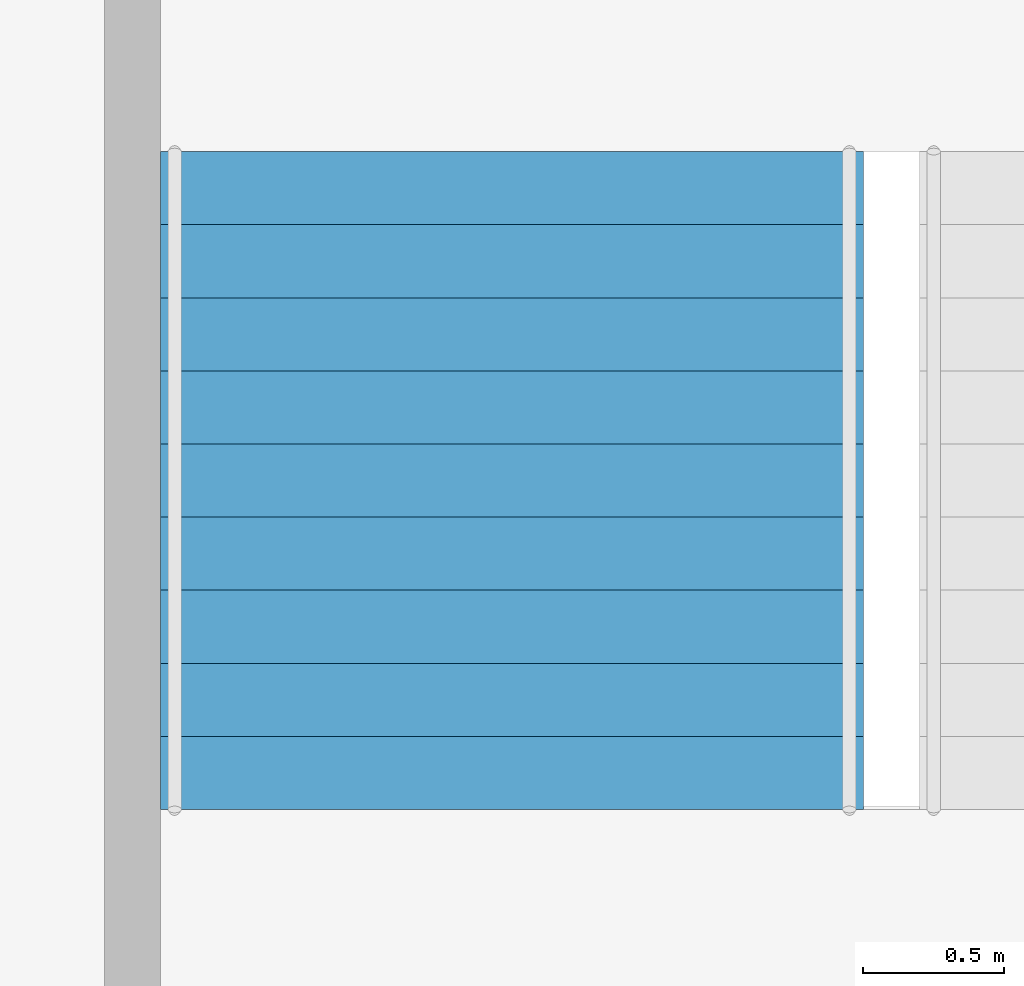
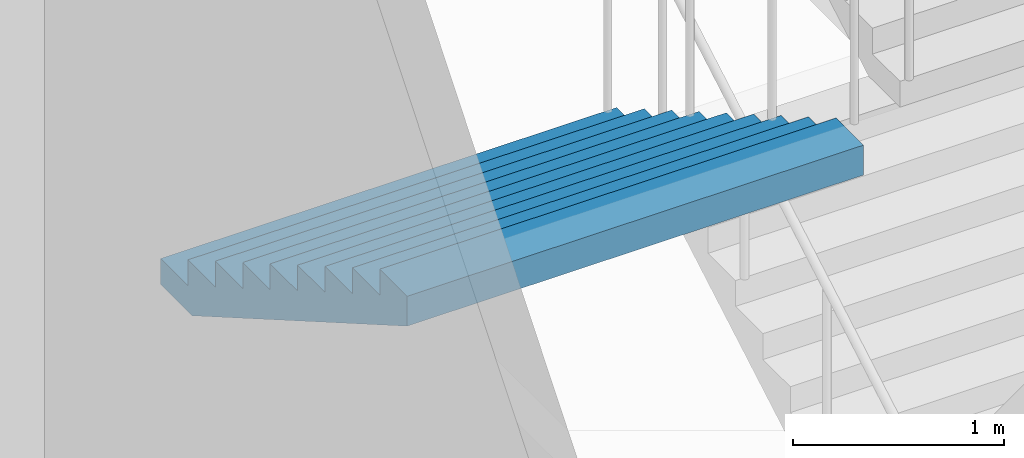
# One storey, part 42 of 100: 1 stair flight, 1 element without a shape of its own.
"""IFC4 building model written with IfcOpenShell, lengths in metres."""

from ifc_helpers import new_model, si_unit, direction, frame, origin, place, context, subcontext, project, spatial, triangles, material, type_object, element, aggregate, save


model = new_model("IFC4")

# Units and contexts
model_context = context("Model", 3, precision=1e-05, world=origin(), true_north=direction((0.0, 1.0)))
body_context = subcontext(model_context, "Body", "Model", "MODEL_VIEW")
ifc_project = project(units=[si_unit("LENGTHUNIT", "METRE"), si_unit("AREAUNIT", "SQUARE_METRE"), si_unit("VOLUMEUNIT", "CUBIC_METRE"), si_unit("PLANEANGLEUNIT", "RADIAN"), si_unit("MASSUNIT", "GRAM", prefix="KILO")], contexts=[model_context])

# Site, building, storey
site_placement = place(None, origin())
site = spatial("IfcSite", under=ifc_project, at=site_placement, CompositionType="ELEMENT")
building_placement = place(site_placement, origin())
building = spatial("IfcBuilding", under=site, at=building_placement, Name="Hakoniwa Tower and Hamabe Station Hall", CompositionType="ELEMENT")
storey_placement = place(building_placement, frame((0.0, 0.0, 9.0)))
storey = spatial("IfcBuildingStorey", under=building, at=storey_placement, Name="L02", CompositionType="ELEMENT", Elevation=9.0)

# Stair, stair flight
ifc_material_1 = material(Name="Concrete C40", Category="concrete")
stair_type = type_object("IfcStairType", Name="STAIR 2500 10X150", PredefinedType="HALF_TURN_STAIR", material=ifc_material_1)
stair_placement = place(storey_placement, origin())
stair = element("IfcStair", 1, at=stair_placement, inside=storey, type_object=stair_type, Name="Escape stair PS4", PredefinedType="HALF_TURN_STAIR")
ifc_material_2 = material(Name="Concrete C40", Category="concrete")
stair_flight_type = type_object("IfcStairFlightType", Name="STAIR FLIGHT 2500", PredefinedType="STRAIGHT", material=ifc_material_2)
stair_flight_placement = place(storey_placement, frame((-47.800048828125, -20.010009765625, 1.5), z_axis=(0.0, 0.0, 1.0), x_axis=(0.0, -1.0, 0.0)))
stair_flight = element("IfcStairFlight", 2, at=stair_flight_placement, type_object=stair_flight_type, Name="PS4 flight 2", NumberOfRisers=10, NumberOfTreads=9, PredefinedType="STRAIGHT", RiserHeight=0.15, TreadLength=0.26, context=body_context, shape_type="Tessellation", body=[
    triangles([(0.0, 1.25, 0.0), (0.260009765625, 1.25, 0.0), (0.300048828125, 1.25, 0.0), (0.52001953125, 1.25, 0.126953125), (0.780029296875, 1.25, 0.27685546875), (1.0400390625, 1.25, 0.427001953125), (1.300048828125, 1.25, 0.576904296875), (1.56005859375, 1.25, 0.72705078125), (1.820068359375, 1.25, 0.876953125), (2.080078125, 1.25, 1.02685546875), (2.340087890625, 1.25, 1.177001953125), (2.340087890625, 1.25, 1.35009765625), (2.080078125, 1.25, 1.35009765625), (2.080078125, 1.25, 1.199951171875), (1.820068359375, 1.25, 1.199951171875), (1.820068359375, 1.25, 1.050048828125), (1.56005859375, 1.25, 1.050048828125), (1.56005859375, 1.25, 0.89990234375), (1.300048828125, 1.25, 0.89990234375), (1.300048828125, 1.25, 0.75), (1.0400390625, 1.25, 0.75), (1.0400390625, 1.25, 0.60009765625), (0.780029296875, 1.25, 0.60009765625), (0.780029296875, 1.25, 0.449951171875), (0.52001953125, 1.25, 0.449951171875), (0.52001953125, 1.25, 0.300048828125), (0.300048828125, 1.25, 0.300048828125), (0.260009765625, 1.25, 0.300048828125), (0.260009765625, 1.25, 0.14990234375), (0.0, 1.25, 0.14990234375), (0.0, 0.06005859375, 0.0), (0.260009765625, 0.06005859375, 0.0), (0.300048828125, 0.06005859375, 0.0), (0.52001953125, 0.06005859375, 0.126953125), (0.780029296875, 0.06005859375, 0.27685546875), (1.0400390625, 0.06005859375, 0.427001953125), (1.300048828125, 0.06005859375, 0.576904296875), (1.56005859375, 0.06005859375, 0.72705078125), (1.820068359375, 0.06005859375, 0.876953125), (2.080078125, 0.06005859375, 1.02685546875), (2.340087890625, 0.06005859375, 1.177001953125), (2.340087890625, 0.06005859375, 1.35009765625), (2.080078125, 0.06005859375, 1.35009765625), (2.080078125, 0.06005859375, 1.199951171875), (1.820068359375, 0.06005859375, 1.199951171875), (1.820068359375, 0.06005859375, 1.050048828125), (1.56005859375, 0.06005859375, 1.050048828125), (1.56005859375, 0.06005859375, 0.89990234375), (1.300048828125, 0.06005859375, 0.89990234375), (1.300048828125, 0.06005859375, 0.75), (1.0400390625, 0.06005859375, 0.75), (1.0400390625, 0.06005859375, 0.60009765625), (0.780029296875, 0.06005859375, 0.60009765625), (0.780029296875, 0.06005859375, 0.449951171875), (0.52001953125, 0.06005859375, 0.449951171875), (0.52001953125, 0.06005859375, 0.300048828125), (0.300048828125, 0.06005859375, 0.300048828125), (0.260009765625, 0.06005859375, 0.300048828125), (0.260009765625, 0.06005859375, 0.14990234375), (0.0, 0.06005859375, 0.14990234375), (0.0, 0.049072265625, 0.0), (0.260009765625, 0.049072265625, 0.0), (0.300048828125, 0.049072265625, 0.0), (0.52001953125, 0.049072265625, 0.126953125), (0.780029296875, 0.049072265625, 0.27685546875), (1.0400390625, 0.049072265625, 0.427001953125), (1.300048828125, 0.049072265625, 0.576904296875), (1.56005859375, 0.049072265625, 0.72705078125), (1.820068359375, 0.049072265625, 0.876953125), (2.080078125, 0.049072265625, 1.02685546875), (2.340087890625, 0.049072265625, 1.177001953125), (2.340087890625, 0.049072265625, 1.35009765625), (2.080078125, 0.049072265625, 1.35009765625), (2.080078125, 0.049072265625, 1.199951171875), (1.820068359375, 0.049072265625, 1.199951171875), (1.820068359375, 0.049072265625, 1.050048828125), (1.56005859375, 0.049072265625, 1.050048828125), (1.56005859375, 0.049072265625, 0.89990234375), (1.300048828125, 0.049072265625, 0.89990234375), (1.300048828125, 0.049072265625, 0.75), (1.0400390625, 0.049072265625, 0.75), (1.0400390625, 0.049072265625, 0.60009765625), (0.780029296875, 0.049072265625, 0.60009765625), (0.780029296875, 0.049072265625, 0.449951171875), (0.52001953125, 0.049072265625, 0.449951171875), (0.52001953125, 0.049072265625, 0.300048828125), (0.300048828125, 0.049072265625, 0.300048828125), (0.260009765625, 0.049072265625, 0.300048828125), (0.260009765625, 0.049072265625, 0.14990234375), (0.0, 0.049072265625, 0.14990234375), (0.0, 0.0380859375, 0.0), (0.260009765625, 0.0380859375, 0.0), (0.300048828125, 0.0380859375, 0.0), (0.52001953125, 0.0380859375, 0.126953125), (0.780029296875, 0.0380859375, 0.27685546875), (1.0400390625, 0.0380859375, 0.427001953125), (1.300048828125, 0.0380859375, 0.576904296875), (1.56005859375, 0.0380859375, 0.72705078125), (1.820068359375, 0.0380859375, 0.876953125), (2.080078125, 0.0380859375, 1.02685546875), (2.340087890625, 0.0380859375, 1.177001953125), (2.340087890625, 0.0380859375, 1.35009765625), (2.080078125, 0.0380859375, 1.35009765625), (2.080078125, 0.0380859375, 1.199951171875), (1.820068359375, 0.0380859375, 1.199951171875), (1.820068359375, 0.0380859375, 1.050048828125), (1.56005859375, 0.0380859375, 1.050048828125), (1.56005859375, 0.0380859375, 0.89990234375), (1.300048828125, 0.0380859375, 0.89990234375), (1.300048828125, 0.0380859375, 0.75), (1.0400390625, 0.0380859375, 0.75), (1.0400390625, 0.0380859375, 0.60009765625), (0.780029296875, 0.0380859375, 0.60009765625), (0.780029296875, 0.0380859375, 0.449951171875), (0.52001953125, 0.0380859375, 0.449951171875), (0.52001953125, 0.0380859375, 0.300048828125), (0.300048828125, 0.0380859375, 0.300048828125), (0.260009765625, 0.0380859375, 0.300048828125), (0.260009765625, 0.0380859375, 0.14990234375), (0.0, 0.0380859375, 0.14990234375), (0.0, 0.02734375, 0.0), (0.260009765625, 0.02734375, 0.0), (0.300048828125, 0.02734375, 0.0), (0.52001953125, 0.02734375, 0.126953125), (0.780029296875, 0.02734375, 0.27685546875), (1.0400390625, 0.02734375, 0.427001953125), (1.300048828125, 0.02734375, 0.576904296875), (1.56005859375, 0.02734375, 0.72705078125), (1.820068359375, 0.02734375, 0.876953125), (2.080078125, 0.02734375, 1.02685546875), (2.340087890625, 0.02734375, 1.177001953125), (2.340087890625, 0.02734375, 1.35009765625), (2.080078125, 0.02734375, 1.35009765625), (2.080078125, 0.02734375, 1.199951171875), (1.820068359375, 0.02734375, 1.199951171875), (1.820068359375, 0.02734375, 1.050048828125), (1.56005859375, 0.02734375, 1.050048828125), (1.56005859375, 0.02734375, 0.89990234375), (1.300048828125, 0.02734375, 0.89990234375), (1.300048828125, 0.02734375, 0.75), (1.0400390625, 0.02734375, 0.75), (1.0400390625, 0.02734375, 0.60009765625), (0.780029296875, 0.02734375, 0.60009765625), (0.780029296875, 0.02734375, 0.449951171875), (0.52001953125, 0.02734375, 0.449951171875), (0.52001953125, 0.02734375, 0.300048828125), (0.300048828125, 0.02734375, 0.300048828125), (0.260009765625, 0.02734375, 0.300048828125), (0.260009765625, 0.02734375, 0.14990234375), (0.0, 0.02734375, 0.14990234375), (0.0, 0.016357421875, 0.0), (0.260009765625, 0.016357421875, 0.0), (0.300048828125, 0.016357421875, 0.0), (0.52001953125, 0.016357421875, 0.126953125), (0.780029296875, 0.016357421875, 0.27685546875), (1.0400390625, 0.016357421875, 0.427001953125), (1.300048828125, 0.016357421875, 0.576904296875), (1.56005859375, 0.016357421875, 0.72705078125), (1.820068359375, 0.016357421875, 0.876953125), (2.080078125, 0.016357421875, 1.02685546875), (2.340087890625, 0.016357421875, 1.177001953125), (2.340087890625, 0.016357421875, 1.35009765625), (2.080078125, 0.016357421875, 1.35009765625), (2.080078125, 0.016357421875, 1.199951171875), (1.820068359375, 0.016357421875, 1.199951171875), (1.820068359375, 0.016357421875, 1.050048828125), (1.56005859375, 0.016357421875, 1.050048828125), (1.56005859375, 0.016357421875, 0.89990234375), (1.300048828125, 0.016357421875, 0.89990234375), (1.300048828125, 0.016357421875, 0.75), (1.0400390625, 0.016357421875, 0.75), (1.0400390625, 0.016357421875, 0.60009765625), (0.780029296875, 0.016357421875, 0.60009765625), (0.780029296875, 0.016357421875, 0.449951171875), (0.52001953125, 0.016357421875, 0.449951171875), (0.52001953125, 0.016357421875, 0.300048828125), (0.300048828125, 0.016357421875, 0.300048828125), (0.260009765625, 0.016357421875, 0.300048828125), (0.260009765625, 0.016357421875, 0.14990234375), (0.0, 0.016357421875, 0.14990234375), (0.0, 0.00537109375, 0.0), (0.260009765625, 0.00537109375, 0.0), (0.300048828125, 0.00537109375, 0.0), (0.52001953125, 0.00537109375, 0.126953125), (0.780029296875, 0.00537109375, 0.27685546875), (1.0400390625, 0.00537109375, 0.427001953125), (1.300048828125, 0.00537109375, 0.576904296875), (1.56005859375, 0.00537109375, 0.72705078125), (1.820068359375, 0.00537109375, 0.876953125), (2.080078125, 0.00537109375, 1.02685546875), (2.340087890625, 0.00537109375, 1.177001953125), (2.340087890625, 0.00537109375, 1.35009765625), (2.080078125, 0.00537109375, 1.35009765625), (2.080078125, 0.00537109375, 1.199951171875), (1.820068359375, 0.00537109375, 1.199951171875), (1.820068359375, 0.00537109375, 1.050048828125), (1.56005859375, 0.00537109375, 1.050048828125), (1.56005859375, 0.00537109375, 0.89990234375), (1.300048828125, 0.00537109375, 0.89990234375), (1.300048828125, 0.00537109375, 0.75), (1.0400390625, 0.00537109375, 0.75), (1.0400390625, 0.00537109375, 0.60009765625), (0.780029296875, 0.00537109375, 0.60009765625), (0.780029296875, 0.00537109375, 0.449951171875), (0.52001953125, 0.00537109375, 0.449951171875), (0.52001953125, 0.00537109375, 0.300048828125), (0.300048828125, 0.00537109375, 0.300048828125), (0.260009765625, 0.00537109375, 0.300048828125), (0.260009765625, 0.00537109375, 0.14990234375), (0.0, 0.00537109375, 0.14990234375), (0.0, -0.00537109375, 0.0), (0.260009765625, -0.00537109375, 0.0), (0.300048828125, -0.00537109375, 0.0), (0.52001953125, -0.00537109375, 0.126953125), (0.780029296875, -0.00537109375, 0.27685546875), (1.0400390625, -0.00537109375, 0.427001953125), (1.300048828125, -0.00537109375, 0.576904296875), (1.56005859375, -0.00537109375, 0.72705078125), (1.820068359375, -0.00537109375, 0.876953125), (2.080078125, -0.00537109375, 1.02685546875), (2.340087890625, -0.00537109375, 1.177001953125), (2.340087890625, -0.00537109375, 1.35009765625), (2.080078125, -0.00537109375, 1.35009765625), (2.080078125, -0.00537109375, 1.199951171875), (1.820068359375, -0.00537109375, 1.199951171875), (1.820068359375, -0.00537109375, 1.050048828125), (1.56005859375, -0.00537109375, 1.050048828125), (1.56005859375, -0.00537109375, 0.89990234375), (1.300048828125, -0.00537109375, 0.89990234375), (1.300048828125, -0.00537109375, 0.75), (1.0400390625, -0.00537109375, 0.75), (1.0400390625, -0.00537109375, 0.60009765625), (0.780029296875, -0.00537109375, 0.60009765625), (0.780029296875, -0.00537109375, 0.449951171875), (0.52001953125, -0.00537109375, 0.449951171875), (0.52001953125, -0.00537109375, 0.300048828125), (0.300048828125, -0.00537109375, 0.300048828125), (0.260009765625, -0.00537109375, 0.300048828125), (0.260009765625, -0.00537109375, 0.14990234375), (0.0, -0.00537109375, 0.14990234375), (0.0, -0.016357421875, 0.0), (0.260009765625, -0.016357421875, 0.0), (0.300048828125, -0.016357421875, 0.0), (0.52001953125, -0.016357421875, 0.126953125), (0.780029296875, -0.016357421875, 0.27685546875), (1.0400390625, -0.016357421875, 0.427001953125), (1.300048828125, -0.016357421875, 0.576904296875), (1.56005859375, -0.016357421875, 0.72705078125), (1.820068359375, -0.016357421875, 0.876953125), (2.080078125, -0.016357421875, 1.02685546875), (2.340087890625, -0.016357421875, 1.177001953125), (2.340087890625, -0.016357421875, 1.35009765625), (2.080078125, -0.016357421875, 1.35009765625), (2.080078125, -0.016357421875, 1.199951171875), (1.820068359375, -0.016357421875, 1.199951171875), (1.820068359375, -0.016357421875, 1.050048828125), (1.56005859375, -0.016357421875, 1.050048828125), (1.56005859375, -0.016357421875, 0.89990234375), (1.300048828125, -0.016357421875, 0.89990234375), (1.300048828125, -0.016357421875, 0.75), (1.0400390625, -0.016357421875, 0.75), (1.0400390625, -0.016357421875, 0.60009765625), (0.780029296875, -0.016357421875, 0.60009765625), (0.780029296875, -0.016357421875, 0.449951171875), (0.52001953125, -0.016357421875, 0.449951171875), (0.52001953125, -0.016357421875, 0.300048828125), (0.300048828125, -0.016357421875, 0.300048828125), (0.260009765625, -0.016357421875, 0.300048828125), (0.260009765625, -0.016357421875, 0.14990234375), (0.0, -0.016357421875, 0.14990234375), (0.0, -0.02734375, 0.0), (0.260009765625, -0.02734375, 0.0), (0.300048828125, -0.02734375, 0.0), (0.52001953125, -0.02734375, 0.126953125), (0.780029296875, -0.02734375, 0.27685546875), (1.0400390625, -0.02734375, 0.427001953125), (1.300048828125, -0.02734375, 0.576904296875), (1.56005859375, -0.02734375, 0.72705078125), (1.820068359375, -0.02734375, 0.876953125), (2.080078125, -0.02734375, 1.02685546875), (2.340087890625, -0.02734375, 1.177001953125), (2.340087890625, -0.02734375, 1.35009765625), (2.080078125, -0.02734375, 1.35009765625), (2.080078125, -0.02734375, 1.199951171875), (1.820068359375, -0.02734375, 1.199951171875), (1.820068359375, -0.02734375, 1.050048828125), (1.56005859375, -0.02734375, 1.050048828125), (1.56005859375, -0.02734375, 0.89990234375), (1.300048828125, -0.02734375, 0.89990234375), (1.300048828125, -0.02734375, 0.75), (1.0400390625, -0.02734375, 0.75), (1.0400390625, -0.02734375, 0.60009765625), (0.780029296875, -0.02734375, 0.60009765625), (0.780029296875, -0.02734375, 0.449951171875), (0.52001953125, -0.02734375, 0.449951171875), (0.52001953125, -0.02734375, 0.300048828125), (0.300048828125, -0.02734375, 0.300048828125), (0.260009765625, -0.02734375, 0.300048828125), (0.260009765625, -0.02734375, 0.14990234375), (0.0, -0.02734375, 0.14990234375), (0.0, -0.0380859375, 0.0), (0.260009765625, -0.0380859375, 0.0), (0.300048828125, -0.0380859375, 0.0), (0.52001953125, -0.0380859375, 0.126953125), (0.780029296875, -0.0380859375, 0.27685546875), (1.0400390625, -0.0380859375, 0.427001953125), (1.300048828125, -0.0380859375, 0.576904296875), (1.56005859375, -0.0380859375, 0.72705078125), (1.820068359375, -0.0380859375, 0.876953125), (2.080078125, -0.0380859375, 1.02685546875), (2.340087890625, -0.0380859375, 1.177001953125), (2.340087890625, -0.0380859375, 1.35009765625), (2.080078125, -0.0380859375, 1.35009765625), (2.080078125, -0.0380859375, 1.199951171875), (1.820068359375, -0.0380859375, 1.199951171875), (1.820068359375, -0.0380859375, 1.050048828125), (1.56005859375, -0.0380859375, 1.050048828125), (1.56005859375, -0.0380859375, 0.89990234375), (1.300048828125, -0.0380859375, 0.89990234375), (1.300048828125, -0.0380859375, 0.75), (1.0400390625, -0.0380859375, 0.75), (1.0400390625, -0.0380859375, 0.60009765625), (0.780029296875, -0.0380859375, 0.60009765625), (0.780029296875, -0.0380859375, 0.449951171875), (0.52001953125, -0.0380859375, 0.449951171875), (0.52001953125, -0.0380859375, 0.300048828125), (0.300048828125, -0.0380859375, 0.300048828125), (0.260009765625, -0.0380859375, 0.300048828125), (0.260009765625, -0.0380859375, 0.14990234375), (0.0, -0.0380859375, 0.14990234375), (0.0, -0.049072265625, 0.0), (0.260009765625, -0.049072265625, 0.0), (0.300048828125, -0.049072265625, 0.0), (0.52001953125, -0.049072265625, 0.126953125), (0.780029296875, -0.049072265625, 0.27685546875), (1.0400390625, -0.049072265625, 0.427001953125), (1.300048828125, -0.049072265625, 0.576904296875), (1.56005859375, -0.049072265625, 0.72705078125), (1.820068359375, -0.049072265625, 0.876953125), (2.080078125, -0.049072265625, 1.02685546875), (2.340087890625, -0.049072265625, 1.177001953125), (2.340087890625, -0.049072265625, 1.35009765625), (2.080078125, -0.049072265625, 1.35009765625), (2.080078125, -0.049072265625, 1.199951171875), (1.820068359375, -0.049072265625, 1.199951171875), (1.820068359375, -0.049072265625, 1.050048828125), (1.56005859375, -0.049072265625, 1.050048828125), (1.56005859375, -0.049072265625, 0.89990234375), (1.300048828125, -0.049072265625, 0.89990234375), (1.300048828125, -0.049072265625, 0.75), (1.0400390625, -0.049072265625, 0.75), (1.0400390625, -0.049072265625, 0.60009765625), (0.780029296875, -0.049072265625, 0.60009765625), (0.780029296875, -0.049072265625, 0.449951171875), (0.52001953125, -0.049072265625, 0.449951171875), (0.52001953125, -0.049072265625, 0.300048828125), (0.300048828125, -0.049072265625, 0.300048828125), (0.260009765625, -0.049072265625, 0.300048828125), (0.260009765625, -0.049072265625, 0.14990234375), (0.0, -0.049072265625, 0.14990234375), (0.0, -0.06005859375, 0.0), (0.260009765625, -0.06005859375, 0.0), (0.300048828125, -0.06005859375, 0.0), (0.52001953125, -0.06005859375, 0.126953125), (0.780029296875, -0.06005859375, 0.27685546875), (1.0400390625, -0.06005859375, 0.427001953125), (1.300048828125, -0.06005859375, 0.576904296875), (1.56005859375, -0.06005859375, 0.72705078125), (1.820068359375, -0.06005859375, 0.876953125), (2.080078125, -0.06005859375, 1.02685546875), (2.340087890625, -0.06005859375, 1.177001953125), (2.340087890625, -0.06005859375, 1.35009765625), (2.080078125, -0.06005859375, 1.35009765625), (2.080078125, -0.06005859375, 1.199951171875), (1.820068359375, -0.06005859375, 1.199951171875), (1.820068359375, -0.06005859375, 1.050048828125), (1.56005859375, -0.06005859375, 1.050048828125), (1.56005859375, -0.06005859375, 0.89990234375), (1.300048828125, -0.06005859375, 0.89990234375), (1.300048828125, -0.06005859375, 0.75), (1.0400390625, -0.06005859375, 0.75), (1.0400390625, -0.06005859375, 0.60009765625), (0.780029296875, -0.06005859375, 0.60009765625), (0.780029296875, -0.06005859375, 0.449951171875), (0.52001953125, -0.06005859375, 0.449951171875), (0.52001953125, -0.06005859375, 0.300048828125), (0.300048828125, -0.06005859375, 0.300048828125), (0.260009765625, -0.06005859375, 0.300048828125), (0.260009765625, -0.06005859375, 0.14990234375), (0.0, -0.06005859375, 0.14990234375), (0.0, -1.25, 0.0), (0.260009765625, -1.25, 0.0), (0.300048828125, -1.25, 0.0), (0.52001953125, -1.25, 0.126953125), (0.780029296875, -1.25, 0.27685546875), (1.0400390625, -1.25, 0.427001953125), (1.300048828125, -1.25, 0.576904296875), (1.56005859375, -1.25, 0.72705078125), (1.820068359375, -1.25, 0.876953125), (2.080078125, -1.25, 1.02685546875), (2.340087890625, -1.25, 1.177001953125), (2.340087890625, -1.25, 1.35009765625), (2.080078125, -1.25, 1.35009765625), (2.080078125, -1.25, 1.199951171875), (1.820068359375, -1.25, 1.199951171875), (1.820068359375, -1.25, 1.050048828125), (1.56005859375, -1.25, 1.050048828125), (1.56005859375, -1.25, 0.89990234375), (1.300048828125, -1.25, 0.89990234375), (1.300048828125, -1.25, 0.75), (1.0400390625, -1.25, 0.75), (1.0400390625, -1.25, 0.60009765625), (0.780029296875, -1.25, 0.60009765625), (0.780029296875, -1.25, 0.449951171875), (0.52001953125, -1.25, 0.449951171875), (0.52001953125, -1.25, 0.300048828125), (0.300048828125, -1.25, 0.300048828125), (0.260009765625, -1.25, 0.300048828125), (0.260009765625, -1.25, 0.14990234375), (0.0, -1.25, 0.14990234375)], [[2, 30, 29], [392, 419, 420], [2, 1, 30], [392, 420, 391], [3, 28, 27], [393, 417, 418], [3, 29, 28], [393, 418, 419], [3, 2, 29], [393, 419, 392], [4, 27, 26], [394, 416, 417], [4, 3, 27], [394, 417, 393], [5, 25, 24], [395, 414, 415], [5, 26, 25], [395, 415, 416], [5, 4, 26], [395, 416, 394], [6, 23, 22], [396, 412, 413], [6, 24, 23], [396, 413, 414], [6, 5, 24], [396, 414, 395], [7, 21, 20], [397, 410, 411], [7, 22, 21], [397, 411, 412], [7, 6, 22], [397, 412, 396], [8, 19, 18], [398, 408, 409], [8, 20, 19], [398, 409, 410], [8, 7, 20], [398, 410, 397], [9, 17, 16], [399, 406, 407], [9, 18, 17], [399, 407, 408], [9, 8, 18], [399, 408, 398], [10, 15, 14], [400, 404, 405], [10, 16, 15], [400, 405, 406], [10, 9, 16], [400, 406, 399], [11, 13, 12], [401, 402, 403], [11, 14, 13], [401, 403, 404], [11, 10, 14], [401, 404, 400], [1, 2, 32], [1, 32, 31], [31, 32, 62], [31, 62, 61], [61, 62, 92], [61, 92, 91], [91, 92, 122], [91, 122, 121], [121, 122, 152], [121, 152, 151], [151, 152, 182], [151, 182, 181], [181, 182, 212], [181, 212, 211], [211, 212, 242], [211, 242, 241], [241, 242, 272], [241, 272, 271], [271, 272, 302], [271, 302, 301], [301, 302, 332], [301, 332, 331], [331, 332, 362], [331, 362, 361], [361, 362, 392], [361, 392, 391], [2, 3, 33], [2, 33, 32], [32, 33, 63], [32, 63, 62], [62, 63, 93], [62, 93, 92], [92, 93, 123], [92, 123, 122], [122, 123, 153], [122, 153, 152], [152, 153, 183], [152, 183, 182], [182, 183, 213], [182, 213, 212], [212, 213, 243], [212, 243, 242], [242, 243, 273], [242, 273, 272], [272, 273, 303], [272, 303, 302], [302, 303, 333], [302, 333, 332], [332, 333, 363], [332, 363, 362], [362, 363, 393], [362, 393, 392], [3, 4, 34], [3, 34, 33], [33, 34, 64], [33, 64, 63], [63, 64, 94], [63, 94, 93], [93, 94, 124], [93, 124, 123], [123, 124, 154], [123, 154, 153], [153, 154, 184], [153, 184, 183], [183, 184, 214], [183, 214, 213], [213, 214, 244], [213, 244, 243], [243, 244, 274], [243, 274, 273], [273, 274, 304], [273, 304, 303], [303, 304, 334], [303, 334, 333], [333, 334, 364], [333, 364, 363], [363, 364, 394], [363, 394, 393], [4, 5, 35], [4, 35, 34], [34, 35, 65], [34, 65, 64], [64, 65, 95], [64, 95, 94], [94, 95, 125], [94, 125, 124], [124, 125, 155], [124, 155, 154], [154, 155, 185], [154, 185, 184], [184, 185, 215], [184, 215, 214], [214, 215, 245], [214, 245, 244], [244, 245, 275], [244, 275, 274], [274, 275, 305], [274, 305, 304], [304, 305, 335], [304, 335, 334], [334, 335, 365], [334, 365, 364], [364, 365, 395], [364, 395, 394], [5, 6, 36], [5, 36, 35], [35, 36, 66], [35, 66, 65], [65, 66, 96], [65, 96, 95], [95, 96, 126], [95, 126, 125], [125, 126, 156], [125, 156, 155], [155, 156, 186], [155, 186, 185], [185, 186, 216], [185, 216, 215], [215, 216, 246], [215, 246, 245], [245, 246, 276], [245, 276, 275], [275, 276, 306], [275, 306, 305], [305, 306, 336], [305, 336, 335], [335, 336, 366], [335, 366, 365], [365, 366, 396], [365, 396, 395], [6, 7, 37], [6, 37, 36], [36, 37, 67], [36, 67, 66], [66, 67, 97], [66, 97, 96], [96, 97, 127], [96, 127, 126], [126, 127, 157], [126, 157, 156], [156, 157, 187], [156, 187, 186], [186, 187, 217], [186, 217, 216], [216, 217, 247], [216, 247, 246], [246, 247, 277], [246, 277, 276], [276, 277, 307], [276, 307, 306], [306, 307, 337], [306, 337, 336], [336, 337, 367], [336, 367, 366], [366, 367, 397], [366, 397, 396], [7, 8, 38], [7, 38, 37], [37, 38, 68], [37, 68, 67], [67, 68, 98], [67, 98, 97], [97, 98, 128], [97, 128, 127], [127, 128, 158], [127, 158, 157], [157, 158, 188], [157, 188, 187], [187, 188, 218], [187, 218, 217], [217, 218, 248], [217, 248, 247], [247, 248, 278], [247, 278, 277], [277, 278, 308], [277, 308, 307], [307, 308, 338], [307, 338, 337], [337, 338, 368], [337, 368, 367], [367, 368, 398], [367, 398, 397], [8, 9, 39], [8, 39, 38], [38, 39, 69], [38, 69, 68], [68, 69, 99], [68, 99, 98], [98, 99, 129], [98, 129, 128], [128, 129, 159], [128, 159, 158], [158, 159, 189], [158, 189, 188], [188, 189, 219], [188, 219, 218], [218, 219, 249], [218, 249, 248], [248, 249, 279], [248, 279, 278], [278, 279, 309], [278, 309, 308], [308, 309, 339], [308, 339, 338], [338, 339, 369], [338, 369, 368], [368, 369, 399], [368, 399, 398], [9, 10, 40], [9, 40, 39], [39, 40, 70], [39, 70, 69], [69, 70, 100], [69, 100, 99], [99, 100, 130], [99, 130, 129], [129, 130, 160], [129, 160, 159], [159, 160, 190], [159, 190, 189], [189, 190, 220], [189, 220, 219], [219, 220, 250], [219, 250, 249], [249, 250, 280], [249, 280, 279], [279, 280, 310], [279, 310, 309], [309, 310, 340], [309, 340, 339], [339, 340, 370], [339, 370, 369], [369, 370, 400], [369, 400, 399], [10, 11, 41], [10, 41, 40], [40, 41, 71], [40, 71, 70], [70, 71, 101], [70, 101, 100], [100, 101, 131], [100, 131, 130], [130, 131, 161], [130, 161, 160], [160, 161, 191], [160, 191, 190], [190, 191, 221], [190, 221, 220], [220, 221, 251], [220, 251, 250], [250, 251, 281], [250, 281, 280], [280, 281, 311], [280, 311, 310], [310, 311, 341], [310, 341, 340], [340, 341, 371], [340, 371, 370], [370, 371, 401], [370, 401, 400], [11, 12, 42], [11, 42, 41], [41, 42, 72], [41, 72, 71], [71, 72, 102], [71, 102, 101], [101, 102, 132], [101, 132, 131], [131, 132, 162], [131, 162, 161], [161, 162, 192], [161, 192, 191], [191, 192, 222], [191, 222, 221], [221, 222, 252], [221, 252, 251], [251, 252, 282], [251, 282, 281], [281, 282, 312], [281, 312, 311], [311, 312, 342], [311, 342, 341], [341, 342, 372], [341, 372, 371], [371, 372, 402], [371, 402, 401], [12, 13, 43], [12, 43, 42], [42, 43, 73], [42, 73, 72], [72, 73, 103], [72, 103, 102], [102, 103, 133], [102, 133, 132], [132, 133, 163], [132, 163, 162], [162, 163, 193], [162, 193, 192], [192, 193, 223], [192, 223, 222], [222, 223, 253], [222, 253, 252], [252, 253, 283], [252, 283, 282], [282, 283, 313], [282, 313, 312], [312, 313, 343], [312, 343, 342], [342, 343, 373], [342, 373, 372], [372, 373, 403], [372, 403, 402], [13, 14, 44], [13, 44, 43], [43, 44, 74], [43, 74, 73], [73, 74, 104], [73, 104, 103], [103, 104, 134], [103, 134, 133], [133, 134, 164], [133, 164, 163], [163, 164, 194], [163, 194, 193], [193, 194, 224], [193, 224, 223], [223, 224, 254], [223, 254, 253], [253, 254, 284], [253, 284, 283], [283, 284, 314], [283, 314, 313], [313, 314, 344], [313, 344, 343], [343, 344, 374], [343, 374, 373], [373, 374, 404], [373, 404, 403], [14, 15, 45], [14, 45, 44], [44, 45, 75], [44, 75, 74], [74, 75, 105], [74, 105, 104], [104, 105, 135], [104, 135, 134], [134, 135, 165], [134, 165, 164], [164, 165, 195], [164, 195, 194], [194, 195, 225], [194, 225, 224], [224, 225, 255], [224, 255, 254], [254, 255, 285], [254, 285, 284], [284, 285, 315], [284, 315, 314], [314, 315, 345], [314, 345, 344], [344, 345, 375], [344, 375, 374], [374, 375, 405], [374, 405, 404], [15, 16, 46], [15, 46, 45], [45, 46, 76], [45, 76, 75], [75, 76, 106], [75, 106, 105], [105, 106, 136], [105, 136, 135], [135, 136, 166], [135, 166, 165], [165, 166, 196], [165, 196, 195], [195, 196, 226], [195, 226, 225], [225, 226, 256], [225, 256, 255], [255, 256, 286], [255, 286, 285], [285, 286, 316], [285, 316, 315], [315, 316, 346], [315, 346, 345], [345, 346, 376], [345, 376, 375], [375, 376, 406], [375, 406, 405], [16, 17, 47], [16, 47, 46], [46, 47, 77], [46, 77, 76], [76, 77, 107], [76, 107, 106], [106, 107, 137], [106, 137, 136], [136, 137, 167], [136, 167, 166], [166, 167, 197], [166, 197, 196], [196, 197, 227], [196, 227, 226], [226, 227, 257], [226, 257, 256], [256, 257, 287], [256, 287, 286], [286, 287, 317], [286, 317, 316], [316, 317, 347], [316, 347, 346], [346, 347, 377], [346, 377, 376], [376, 377, 407], [376, 407, 406], [17, 18, 48], [17, 48, 47], [47, 48, 78], [47, 78, 77], [77, 78, 108], [77, 108, 107], [107, 108, 138], [107, 138, 137], [137, 138, 168], [137, 168, 167], [167, 168, 198], [167, 198, 197], [197, 198, 228], [197, 228, 227], [227, 228, 258], [227, 258, 257], [257, 258, 288], [257, 288, 287], [287, 288, 318], [287, 318, 317], [317, 318, 348], [317, 348, 347], [347, 348, 378], [347, 378, 377], [377, 378, 408], [377, 408, 407], [18, 19, 49], [18, 49, 48], [48, 49, 79], [48, 79, 78], [78, 79, 109], [78, 109, 108], [108, 109, 139], [108, 139, 138], [138, 139, 169], [138, 169, 168], [168, 169, 199], [168, 199, 198], [198, 199, 229], [198, 229, 228], [228, 229, 259], [228, 259, 258], [258, 259, 289], [258, 289, 288], [288, 289, 319], [288, 319, 318], [318, 319, 349], [318, 349, 348], [348, 349, 379], [348, 379, 378], [378, 379, 409], [378, 409, 408], [19, 20, 50], [19, 50, 49], [49, 50, 80], [49, 80, 79], [79, 80, 110], [79, 110, 109], [109, 110, 140], [109, 140, 139], [139, 140, 170], [139, 170, 169], [169, 170, 200], [169, 200, 199], [199, 200, 230], [199, 230, 229], [229, 230, 260], [229, 260, 259], [259, 260, 290], [259, 290, 289], [289, 290, 320], [289, 320, 319], [319, 320, 350], [319, 350, 349], [349, 350, 380], [349, 380, 379], [379, 380, 410], [379, 410, 409], [20, 21, 51], [20, 51, 50], [50, 51, 81], [50, 81, 80], [80, 81, 111], [80, 111, 110], [110, 111, 141], [110, 141, 140], [140, 141, 171], [140, 171, 170], [170, 171, 201], [170, 201, 200], [200, 201, 231], [200, 231, 230], [230, 231, 261], [230, 261, 260], [260, 261, 291], [260, 291, 290], [290, 291, 321], [290, 321, 320], [320, 321, 351], [320, 351, 350], [350, 351, 381], [350, 381, 380], [380, 381, 411], [380, 411, 410], [21, 22, 52], [21, 52, 51], [51, 52, 82], [51, 82, 81], [81, 82, 112], [81, 112, 111], [111, 112, 142], [111, 142, 141], [141, 142, 172], [141, 172, 171], [171, 172, 202], [171, 202, 201], [201, 202, 232], [201, 232, 231], [231, 232, 262], [231, 262, 261], [261, 262, 292], [261, 292, 291], [291, 292, 322], [291, 322, 321], [321, 322, 352], [321, 352, 351], [351, 352, 382], [351, 382, 381], [381, 382, 412], [381, 412, 411], [22, 23, 53], [22, 53, 52], [52, 53, 83], [52, 83, 82], [82, 83, 113], [82, 113, 112], [112, 113, 143], [112, 143, 142], [142, 143, 173], [142, 173, 172], [172, 173, 203], [172, 203, 202], [202, 203, 233], [202, 233, 232], [232, 233, 263], [232, 263, 262], [262, 263, 293], [262, 293, 292], [292, 293, 323], [292, 323, 322], [322, 323, 353], [322, 353, 352], [352, 353, 383], [352, 383, 382], [382, 383, 413], [382, 413, 412], [23, 24, 54], [23, 54, 53], [53, 54, 84], [53, 84, 83], [83, 84, 114], [83, 114, 113], [113, 114, 144], [113, 144, 143], [143, 144, 174], [143, 174, 173], [173, 174, 204], [173, 204, 203], [203, 204, 234], [203, 234, 233], [233, 234, 264], [233, 264, 263], [263, 264, 294], [263, 294, 293], [293, 294, 324], [293, 324, 323], [323, 324, 354], [323, 354, 353], [353, 354, 384], [353, 384, 383], [383, 384, 414], [383, 414, 413], [24, 25, 55], [24, 55, 54], [54, 55, 85], [54, 85, 84], [84, 85, 115], [84, 115, 114], [114, 115, 145], [114, 145, 144], [144, 145, 175], [144, 175, 174], [174, 175, 205], [174, 205, 204], [204, 205, 235], [204, 235, 234], [234, 235, 265], [234, 265, 264], [264, 265, 295], [264, 295, 294], [294, 295, 325], [294, 325, 324], [324, 325, 355], [324, 355, 354], [354, 355, 385], [354, 385, 384], [384, 385, 415], [384, 415, 414], [25, 26, 56], [25, 56, 55], [55, 56, 86], [55, 86, 85], [85, 86, 116], [85, 116, 115], [115, 116, 146], [115, 146, 145], [145, 146, 176], [145, 176, 175], [175, 176, 206], [175, 206, 205], [205, 206, 236], [205, 236, 235], [235, 236, 266], [235, 266, 265], [265, 266, 296], [265, 296, 295], [295, 296, 326], [295, 326, 325], [325, 326, 356], [325, 356, 355], [355, 356, 386], [355, 386, 385], [385, 386, 416], [385, 416, 415], [26, 27, 57], [26, 57, 56], [56, 57, 87], [56, 87, 86], [86, 87, 117], [86, 117, 116], [116, 117, 147], [116, 147, 146], [146, 147, 177], [146, 177, 176], [176, 177, 207], [176, 207, 206], [206, 207, 237], [206, 237, 236], [236, 237, 267], [236, 267, 266], [266, 267, 297], [266, 297, 296], [296, 297, 327], [296, 327, 326], [326, 327, 357], [326, 357, 356], [356, 357, 387], [356, 387, 386], [386, 387, 417], [386, 417, 416], [27, 28, 58], [27, 58, 57], [57, 58, 88], [57, 88, 87], [87, 88, 118], [87, 118, 117], [117, 118, 148], [117, 148, 147], [147, 148, 178], [147, 178, 177], [177, 178, 208], [177, 208, 207], [207, 208, 238], [207, 238, 237], [237, 238, 268], [237, 268, 267], [267, 268, 298], [267, 298, 297], [297, 298, 328], [297, 328, 327], [327, 328, 358], [327, 358, 357], [357, 358, 388], [357, 388, 387], [387, 388, 418], [387, 418, 417], [28, 29, 59], [28, 59, 58], [58, 59, 89], [58, 89, 88], [88, 89, 119], [88, 119, 118], [118, 119, 149], [118, 149, 148], [148, 149, 179], [148, 179, 178], [178, 179, 209], [178, 209, 208], [208, 209, 239], [208, 239, 238], [238, 239, 269], [238, 269, 268], [268, 269, 299], [268, 299, 298], [298, 299, 329], [298, 329, 328], [328, 329, 359], [328, 359, 358], [358, 359, 389], [358, 389, 388], [388, 389, 419], [388, 419, 418], [29, 30, 60], [29, 60, 59], [59, 60, 90], [59, 90, 89], [89, 90, 120], [89, 120, 119], [119, 120, 150], [119, 150, 149], [149, 150, 180], [149, 180, 179], [179, 180, 210], [179, 210, 209], [209, 210, 240], [209, 240, 239], [239, 240, 270], [239, 270, 269], [269, 270, 300], [269, 300, 299], [299, 300, 330], [299, 330, 329], [329, 330, 360], [329, 360, 359], [359, 360, 390], [359, 390, 389], [389, 390, 420], [389, 420, 419], [30, 1, 31], [30, 31, 60], [60, 31, 61], [60, 61, 90], [90, 61, 91], [90, 91, 120], [120, 91, 121], [120, 121, 150], [150, 121, 151], [150, 151, 180], [180, 151, 181], [180, 181, 210], [210, 181, 211], [210, 211, 240], [240, 211, 241], [240, 241, 270], [270, 241, 271], [270, 271, 300], [300, 271, 301], [300, 301, 330], [330, 301, 331], [330, 331, 360], [360, 331, 361], [360, 361, 390], [390, 361, 391], [390, 391, 420]], closed=True),
])
aggregate(stair, [stair_flight])

save(model, "model.ifc")
